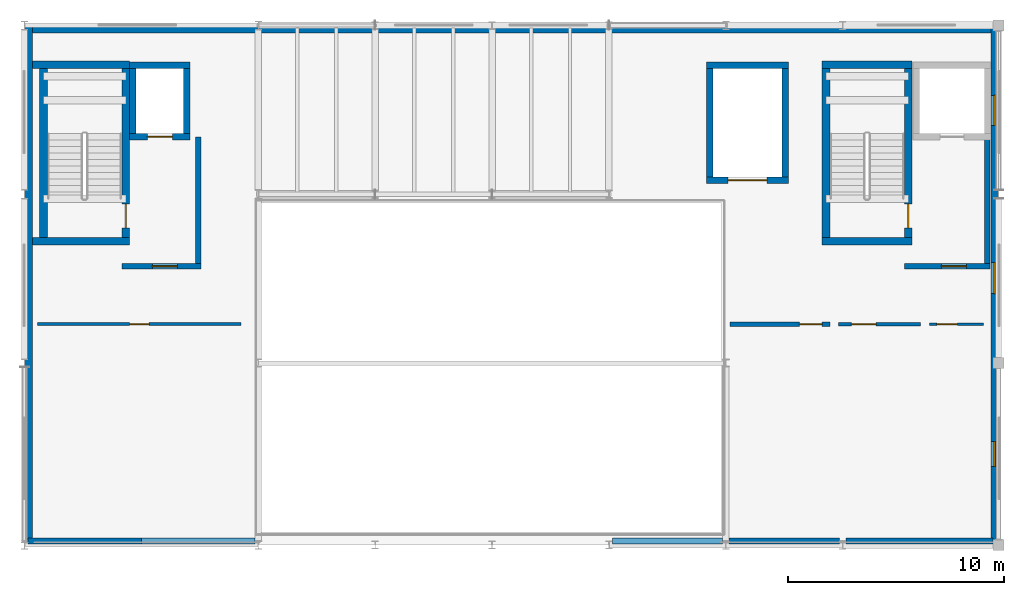
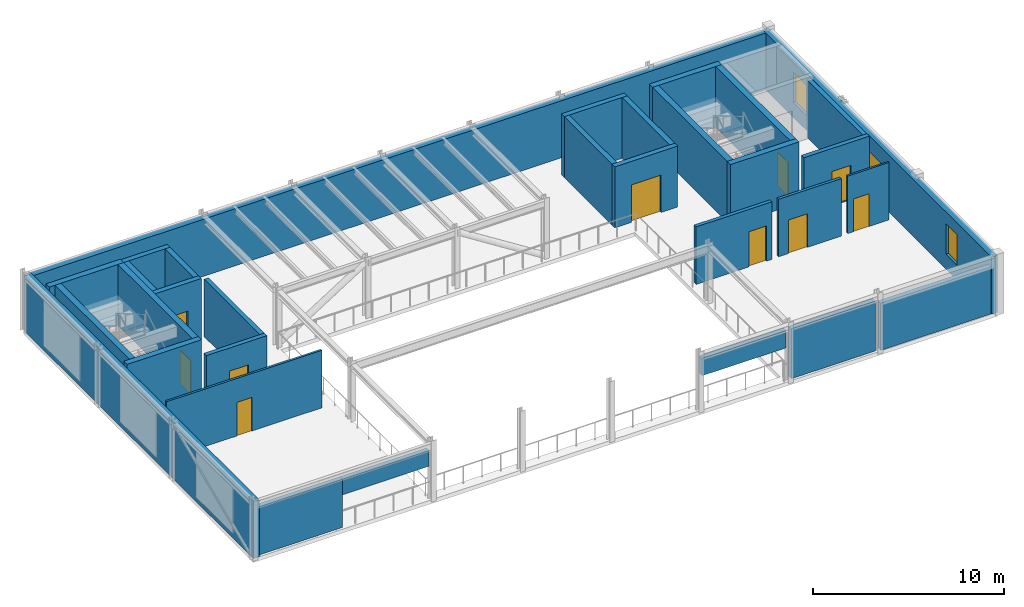
# One storey, part 7 of 12: 32 walls, 10 doors, 3 windows, 13 openings.
"""IFC4 building model written with IfcOpenShell, lengths in metres."""

import ifcopenshell
import ifcopenshell.guid

model = None  # the IFC model being written
_history = None  # IfcOwnerHistory: only IFC2X3 demands one
_inside = {}  # id of a spatial element -> (the spatial element, [elements in it])
_under = {}  # id of a project, library or spatial element -> (it, [spatial elements below it])
_declared = {}  # id of a project -> (the project, [libraries it declares])
_typed = {}  # id of a type object -> (the type object, [elements of that type])
_made_of = {}  # id of a material, layer set ... -> (it, [elements and type objects made of it])


def new_model(schema):
    """Start an empty IFC model of exactly this schema.

    Asked for "IFC4X3", IfcOpenShell would pick the latest addendum, in which some entities
    have other attributes; the version numbers below select the first issue.
    IFC2X3 requires an IfcOwnerHistory on every rooted entity: one is made here for all.
    """
    global model, _history
    if schema == "IFC4X3":
        model = ifcopenshell.file(schema_version=(4, 3, 0, 0))
    else:
        model = ifcopenshell.file(schema=schema)
    _inside.clear()
    _under.clear()
    _declared.clear()
    _typed.clear()
    _made_of.clear()
    _history = None
    if model.schema == "IFC2X3":
        org = make("IfcOrganization", Name="unknown")
        user = make(
            "IfcPersonAndOrganization",
            ThePerson=make("IfcPerson", FamilyName="unknown"),
            TheOrganization=org,
        )
        app = make(
            "IfcApplication",
            ApplicationDeveloper=org,
            Version="unknown",
            ApplicationFullName="unknown",
            ApplicationIdentifier="unknown",
        )
        _history = make(
            "IfcOwnerHistory",
            OwningUser=user,
            OwningApplication=app,
            ChangeAction="ADDED",
            CreationDate=0,
        )
    return model


def make(cls, **values):
    """One entity of the class cls with the attributes given. An attribute that is None is left unset."""
    return model.create_entity(
        cls, **{name: value for name, value in values.items() if value is not None}
    )


def rooted(cls, **values):
    """An entity with a GlobalId (a new one), such as an element, a storey or a relation."""
    return make(cls, GlobalId=ifcopenshell.guid.new(), OwnerHistory=_history, **values)


def si_unit(unit_type, name, prefix=None):
    """IfcSIUnit, for example si_unit("LENGTHUNIT", "METRE", prefix="MILLI")."""
    return make("IfcSIUnit", UnitType=unit_type, Prefix=prefix, Name=name)


def assignment(units):
    """IfcUnitAssignment: the units of a project."""
    return None if units is None else make("IfcUnitAssignment", Units=units)


def point(xyz):
    """IfcCartesianPoint."""
    return None if xyz is None else make("IfcCartesianPoint", Coordinates=xyz)


def direction(xyz):
    """IfcDirection."""
    return None if xyz is None else make("IfcDirection", DirectionRatios=xyz)


def frame(location, z_axis=None, x_axis=None):
    """IfcAxis2Placement3D, a coordinate frame: its origin and axes. An axis left out is left unset."""
    return make(
        "IfcAxis2Placement3D",
        Location=point(location),
        Axis=direction(z_axis),
        RefDirection=direction(x_axis),
    )


def frame_2d(location, x_axis=None):
    """IfcAxis2Placement2D, a coordinate frame in the plane: its origin and x axis."""
    return make(
        "IfcAxis2Placement2D", Location=point(location), RefDirection=direction(x_axis)
    )


def origin():
    """The frame at (0, 0, 0) with its axes left unset."""
    return frame((0.0, 0.0, 0.0))


def place(relative_to, where):
    """IfcLocalPlacement: puts the frame where relative to a parent placement (None: the world)."""
    return make(
        "IfcLocalPlacement", PlacementRelTo=relative_to, RelativePlacement=where
    )


def context(
    kind, dimensions, precision=None, world=None, true_north=None, identifier=None
):
    """IfcGeometricRepresentationContext, for example the 3D "Model" context."""
    return make(
        "IfcGeometricRepresentationContext",
        ContextIdentifier=identifier,
        ContextType=kind,
        CoordinateSpaceDimension=dimensions,
        Precision=precision,
        WorldCoordinateSystem=world,
        TrueNorth=true_north,
    )


def subcontext(parent, identifier, kind, view, scale=None):
    """IfcGeometricRepresentationSubContext, for example "Body" below "Model"."""
    return make(
        "IfcGeometricRepresentationSubContext",
        ContextIdentifier=identifier,
        ContextType=kind,
        ParentContext=parent,
        TargetScale=scale,
        TargetView=view,
    )


def project(units=None, contexts=None):
    """IfcProject with its units and contexts."""
    return rooted(
        "IfcProject",
        Name="project",
        RepresentationContexts=contexts,
        UnitsInContext=assignment(units),
    )


def spatial(cls, under=None, at=None, **own):
    """A site, building, storey or space (cls), placed at a placement, below another one or the project."""
    s = rooted(cls, ObjectPlacement=at, **own)
    if under is not None:
        _under.setdefault(under.id(), (under, []))[1].append(s)
    return s


def profile(cls, at=None, kind="AREA", **sizes):
    """A parametric profile (cls). Its sizes go by their IFC names, for example OverallWidth=200.0."""
    return make(cls, ProfileType=kind, Position=at, **sizes)


def rectangle(**sizes):
    """IfcRectangleProfileDef."""
    return profile("IfcRectangleProfileDef", **sizes)


def extrude(swept, where, along, depth):
    """IfcExtrudedAreaSolid: the profile swept, set in the frame where, extruded along a direction by depth."""
    return make(
        "IfcExtrudedAreaSolid",
        SweptArea=swept,
        Position=where,
        ExtrudedDirection=direction(along),
        Depth=depth,
    )


def shape(context_of_items, identifier, shape_type, items):
    """IfcShapeRepresentation: the items that make up one representation, for example the "Body"."""
    return make(
        "IfcShapeRepresentation",
        ContextOfItems=context_of_items,
        RepresentationIdentifier=identifier,
        RepresentationType=shape_type,
        Items=items,
    )


def material(Name=None, Category=None):
    """IfcMaterial."""
    return make("IfcMaterial", Name=Name, Category=Category)


def layer(
    of_material, thickness, ventilated=None, Name=None, Category=None, Priority=None
):
    """IfcMaterialLayer: one layer of a wall or slab, of a material (None: an air gap)."""
    return make(
        "IfcMaterialLayer",
        Material=of_material,
        LayerThickness=thickness,
        IsVentilated=ventilated,
        Name=Name,
        Category=Category,
        Priority=Priority,
    )


def layer_set(layers, Name=None):
    """IfcMaterialLayerSet."""
    return make("IfcMaterialLayerSet", MaterialLayers=layers, LayerSetName=Name)


def made_of(thing, what):
    """Note that an element or type object is made of a material, layer set ...; save() writes the relation."""
    if what is not None:
        _made_of.setdefault(what.id(), (what, []))[1].append(thing)
    return thing


def type_object(cls, material=None, **own):
    """A type object (cls), such as IfcWallType, which elements share."""
    return made_of(rooted(cls, **own), material)


def element(
    cls,
    number,
    at=None,
    inside=None,
    cuts=None,
    type_object=None,
    material=None,
    context=None,
    identifier="Body",
    shape_type=None,
    held_by="IfcProductDefinitionShape",
    body=None,
    shapes=None,
    **own,
):
    """One element of the class cls, such as IfcWall. Its Tag is "e" and its number.

    at: its placement. inside: the storey or other place that contains it. cuts: it is an
    opening in that element (IfcRelVoidsElement). A single representation is given by context,
    identifier, shape_type and body (its items); several are given by shapes. held_by: the class
    of the entity that holds the representations. save() writes the other relations.
    """
    e = rooted(cls, Tag="e%d" % number, ObjectPlacement=at, **own)
    if body is not None:
        shapes = [shape(context, identifier, shape_type, body)]
    if shapes is not None:
        e.Representation = make(held_by, Representations=shapes)
    if inside is not None:
        _inside.setdefault(inside.id(), (inside, []))[1].append(e)
    if cuts is not None:
        rooted(
            "IfcRelVoidsElement", RelatingBuildingElement=cuts, RelatedOpeningElement=e
        )
    if type_object is not None:
        _typed.setdefault(type_object.id(), (type_object, []))[1].append(e)
    return made_of(e, material)


def fill(opening, filler):
    """IfcRelFillsElement: the door or window that sits in an opening."""
    return rooted(
        "IfcRelFillsElement",
        RelatingOpeningElement=opening,
        RelatedBuildingElement=filler,
    )


def aggregate(whole, parts):
    """IfcRelAggregates: a whole, such as a stair, and the parts it consists of."""
    return rooted("IfcRelAggregates", RelatingObject=whole, RelatedObjects=parts)


def save(model, path):
    """Write the relations noted so far, then the file.

    IfcRelAggregates (storeys below a building ...), IfcRelContainedInSpatialStructure (elements
    in a storey), IfcRelDefinesByType, IfcRelAssociatesMaterial and IfcRelDeclares: one each for
    every whole, place, type object, material and project.
    """
    for whole, parts in _under.values():
        aggregate(whole, parts)
    for where, things in _inside.values():
        rooted(
            "IfcRelContainedInSpatialStructure",
            RelatedElements=things,
            RelatingStructure=where,
        )
    for kind, things in _typed.values():
        rooted("IfcRelDefinesByType", RelatedObjects=things, RelatingType=kind)
    for what, things in _made_of.values():
        rooted("IfcRelAssociatesMaterial", RelatedObjects=things, RelatingMaterial=what)
    for by, libraries in _declared.values():
        rooted("IfcRelDeclares", RelatingContext=by, RelatedDefinitions=libraries)
    model.write(path)


model = new_model("IFC4")

# Units and contexts
model_context = context("Model", 3, precision=1e-05, world=origin(), true_north=direction((0.0, 1.0)))
body_context = subcontext(model_context, "Body", "Model", "MODEL_VIEW")
ifc_project = project(units=[si_unit("LENGTHUNIT", "METRE"), si_unit("AREAUNIT", "SQUARE_METRE"), si_unit("VOLUMEUNIT", "CUBIC_METRE"), si_unit("PLANEANGLEUNIT", "RADIAN"), si_unit("MASSUNIT", "GRAM", prefix="KILO")], contexts=[model_context])

# Site, building, storey
site_placement = place(None, origin())
site = spatial("IfcSite", under=ifc_project, at=site_placement, CompositionType="ELEMENT")
building_placement = place(site_placement, origin())
building = spatial("IfcBuilding", under=site, at=building_placement, Name="Tazoul Stagehouse", CompositionType="ELEMENT")
storey_placement = place(building_placement, frame((0.0, 0.0, 17.10009765625)))
storey = spatial("IfcBuildingStorey", under=building, at=storey_placement, Name="L04", CompositionType="ELEMENT", Elevation=17.10009765625)

# Wall
ifc_material_1 = material(Name="Ochre Fired Clay Facing Brick Masonry", Category="masonry")
ifc_layer_1 = layer(ifc_material_1, 0.360107421875, Name="Ochre Fired Clay Facing Brick Masonry")
ifc_layer_set_1 = layer_set([ifc_layer_1], Name="Ochre Fired Clay Facing Brick Masonry")
wall_type_1 = type_object("IfcWallType", Name="Acoustic Stagehouse Masonry-Concrete Cavity Wall 360", PredefinedType="SOLIDWALL", material=ifc_layer_set_1)
wall_1_placement = place(storey_placement, frame((57.780029296875, 87.800048828125, 0.0), z_axis=(0.0, 0.0, 1.0), x_axis=(0.0, 1.0, 0.0)))
element("IfcWall", 1, at=wall_1_placement, inside=storey, type_object=wall_type_1, Name="L04 Wall EW-360 (WALL-V2-W-L04-S1)", PredefinedType="SOLIDWALL", context=body_context, shape_type="SweptSolid", body=[
    extrude(rectangle(XDim=24.0, YDim=0.360107421875, at=frame_2d((12.0, 0.0))), origin(), (0.0, 0.0, 1.0), 3.64990234375),
])

# Wall, openings, windows
wall_2_placement = place(storey_placement, frame((102.419921875, 87.800048828125, 0.0), z_axis=(0.0, 0.0, 1.0), x_axis=(0.0, 1.0, 0.0)))
wall_2 = element("IfcWall", 2, at=wall_2_placement, inside=storey, type_object=wall_type_1, Name="L04 Wall EW-360 (WALL-V2-E-L04-S1)", PredefinedType="SOLIDWALL", context=body_context, shape_type="SweptSolid", body=[
    extrude(rectangle(XDim=24.0, YDim=0.360107421875, at=frame_2d((12.0, 0.0))), origin(), (0.0, 0.0, 1.0), 3.64990234375),
])
opening_1_placement = place(wall_2_placement, frame((3.625, 0.0, 0.949951171875)))
opening_1 = element("IfcOpeningElement", 3, at=opening_1_placement, cuts=wall_2, Name="Opening WN-21", PredefinedType="OPENING", context=body_context, shape_type="SweptSolid", body=[
    extrude(rectangle(XDim=1.14990234375, YDim=1.949951171875, at=frame_2d((0.574951171875, 0.97509765625))), frame((0.0, 0.199951171875, 0.0), z_axis=(0.0, -1.0, 0.0), x_axis=(1.0, 0.0, 0.0)), (0.0, 0.0, 1.0), 0.400146484375),
])
opening_2_placement = place(wall_2_placement, frame((11.60498046875, 0.0, 0.949951171875)))
opening_2 = element("IfcOpeningElement", 4, at=opening_2_placement, cuts=wall_2, Name="Opening WN-51", PredefinedType="OPENING", context=body_context, shape_type="SweptSolid", body=[
    extrude(rectangle(XDim=1.43994140625, YDim=1.699951171875, at=frame_2d((0.719970703125, 0.85009765625))), frame((0.0, 0.199951171875, 0.0), z_axis=(0.0, -1.0, 0.0), x_axis=(1.0, 0.0, 0.0)), (0.0, 0.0, 1.0), 0.400146484375),
])
opening_3_placement = place(wall_2_placement, frame((19.385009765625, 0.0, 0.949951171875)))
opening_3 = element("IfcOpeningElement", 5, at=opening_3_placement, cuts=wall_2, Name="Opening WN-74", PredefinedType="OPENING", context=body_context, shape_type="SweptSolid", body=[
    extrude(rectangle(XDim=1.3798828125, YDim=1.949951171875, at=frame_2d((0.68994140625, 0.97509765625))), frame((0.0, 0.199951171875, 0.0), z_axis=(0.0, -1.0, 0.0), x_axis=(1.0, 0.0, 0.0)), (0.0, 0.0, 1.0), 0.400146484375),
])
ifc_material_2 = material(Name="Double Low-E Acoustic Laminated Glass", Category="glass")
window_type_1 = type_object("IfcWindowType", Name="Architectural Acoustic Facade Window 1380x1950", PartitioningType="SINGLE_PANEL", PredefinedType="WINDOW", material=ifc_material_2)
window_1_placement = place(opening_3_placement, origin())
window_1 = element("IfcWindow", 6, at=window_1_placement, inside=storey, type_object=window_type_1, Name="L04 Window WN-74 (WALL-V2-E-L04-S1-B3-W1)", OverallHeight=1.949951171875, OverallWidth=1.3798828125, PartitioningType="SINGLE_PANEL", PredefinedType="WINDOW", context=body_context, shape_type="SweptSolid", body=[
    extrude(rectangle(XDim=1.3798828125, YDim=1.949951171875, at=frame_2d((0.68994140625, 0.97509765625))), frame((0.0, 0.030029296875, 0.0), z_axis=(0.0, -1.0, 0.0), x_axis=(1.0, 0.0, 0.0)), (0.0, 0.0, 1.0), 0.06005859375),
])
fill(opening_3, window_1)
window_type_2 = type_object("IfcWindowType", Name="Architectural Acoustic Facade Window 1440x1700", PartitioningType="SINGLE_PANEL", PredefinedType="WINDOW", material=ifc_material_2)
window_2_placement = place(opening_2_placement, origin())
window_2 = element("IfcWindow", 7, at=window_2_placement, inside=storey, type_object=window_type_2, Name="L04 Window WN-51 (WALL-V2-E-L04-S1-B2-W1)", OverallHeight=1.699951171875, OverallWidth=1.43994140625, PartitioningType="SINGLE_PANEL", PredefinedType="WINDOW", context=body_context, shape_type="SweptSolid", body=[
    extrude(rectangle(XDim=1.43994140625, YDim=1.699951171875, at=frame_2d((0.719970703125, 0.85009765625))), frame((0.0, 0.030029296875, 0.0), z_axis=(0.0, -1.0, 0.0), x_axis=(1.0, 0.0, 0.0)), (0.0, 0.0, 1.0), 0.06005859375),
])
fill(opening_2, window_2)
window_type_3 = type_object("IfcWindowType", Name="Studio Drum Acoustic Window 1150x1950", PartitioningType="SINGLE_PANEL", PredefinedType="WINDOW", material=ifc_material_2)
window_3_placement = place(opening_1_placement, origin())
window_3 = element("IfcWindow", 8, at=window_3_placement, inside=storey, type_object=window_type_3, Name="L04 Window WN-21 (WALL-V2-E-L04-S1-B1-W1)", OverallHeight=1.949951171875, OverallWidth=1.14990234375, PartitioningType="SINGLE_PANEL", PredefinedType="WINDOW", context=body_context, shape_type="SweptSolid", body=[
    extrude(rectangle(XDim=1.14990234375, YDim=1.949951171875, at=frame_2d((0.574951171875, 0.97509765625))), frame((0.0, 0.030029296875, 0.0), z_axis=(0.0, -1.0, 0.0), x_axis=(1.0, 0.0, 0.0)), (0.0, 0.0, 1.0), 0.06005859375),
])
fill(opening_1, window_3)

# Walls
wall_3_placement = place(storey_placement, frame((57.60009765625, 111.6201171875, 0.0), z_axis=(0.0, 0.0, 1.0), x_axis=(1.0, 0.0, 0.0)))
element("IfcWall", 9, at=wall_3_placement, inside=storey, type_object=wall_type_1, Name="L04 Wall EW-360 (WALL-V2-N-L04-S1)", PredefinedType="SOLIDWALL", context=body_context, shape_type="SweptSolid", body=[
    extrude(rectangle(XDim=45.0, YDim=0.360107421875, at=frame_2d((22.5, 0.0))), origin(), (0.0, 0.0, 1.0), 3.64990234375),
])
ifc_material_3 = material(Name="Concrete C40/50", Category="concrete")
ifc_layer_2 = layer(ifc_material_3, 0.35009765625, Name="Concrete C40/50")
ifc_layer_set_2 = layer_set([ifc_layer_2], Name="Concrete C40/50")
wall_type_2 = type_object("IfcWallType", Name="Core Shear Wall 350", PredefinedType="SOLIDWALL", material=ifc_layer_set_2)
wall_4_placement = place(storey_placement, frame((98.60009765625, 101.824951171875, 0.0), z_axis=(0.0, 0.0, 1.0), x_axis=(-1.0, 0.0, 0.0)))
element("IfcWall", 10, at=wall_4_placement, inside=storey, type_object=wall_type_2, Name="L04 Core Wall CW-350 (SHF-ST-01-south)", PredefinedType="SOLIDWALL", context=body_context, shape_type="SweptSolid", body=[
    extrude(rectangle(XDim=4.150146484375, YDim=0.35009765625, at=frame_2d((2.0751953125, 0.0))), origin(), (0.0, 0.0, 1.0), 3.89990234375),
])
wall_5_placement = place(storey_placement, frame((94.625, 102.0, 0.0), z_axis=(0.0, 0.0, 1.0), x_axis=(0.0, 1.0, 0.0)))
element("IfcWall", 11, at=wall_5_placement, inside=storey, type_object=wall_type_2, Name="L04 Core Wall CW-350 (SHF-ST-01-west)", PredefinedType="SOLIDWALL", context=body_context, shape_type="SweptSolid", body=[
    extrude(rectangle(XDim=7.800048828125, YDim=0.35009765625, at=frame_2d((3.89990234375, 0.0))), origin(), (0.0, 0.0, 1.0), 3.89990234375),
])
wall_6_placement = place(storey_placement, frame((94.449951171875, 109.97509765625, 0.0), z_axis=(0.0, 0.0, 1.0), x_axis=(1.0, 0.0, 0.0)))
element("IfcWall", 12, at=wall_6_placement, inside=storey, type_object=wall_type_2, Name="L04 Core Wall CW-350 (SHF-ST-01-north)", PredefinedType="SOLIDWALL", context=body_context, shape_type="SweptSolid", body=[
    extrude(rectangle(XDim=4.150146484375, YDim=0.35009765625, at=frame_2d((2.0751953125, 0.0))), origin(), (0.0, 0.0, 1.0), 3.89990234375),
])

# Wall, opening, door
wall_7_placement = place(storey_placement, frame((98.425048828125, 109.800048828125, 0.0), z_axis=(0.0, 0.0, 1.0), x_axis=(0.0, -1.0, 0.0)))
wall_7 = element("IfcWall", 13, at=wall_7_placement, inside=storey, type_object=wall_type_2, Name="L04 Core Wall CW-350 (SHF-ST-01-east)", PredefinedType="SOLIDWALL", context=body_context, shape_type="SweptSolid", body=[
    extrude(rectangle(XDim=7.800048828125, YDim=0.35009765625, at=frame_2d((3.89990234375, 0.0))), origin(), (0.0, 0.0, 1.0), 3.89990234375),
])
opening_4_placement = place(wall_7_placement, frame((6.25, 0.0, 0.0)))
opening_4 = element("IfcOpeningElement", 14, at=opening_4_placement, cuts=wall_7, Name="Opening FD-01", PredefinedType="OPENING", context=body_context, shape_type="SweptSolid", body=[
    extrude(rectangle(XDim=1.10009765625, YDim=2.14990234375, at=frame_2d((0.550048828125, 1.074951171875))), frame((0.0, 0.195068359375, 0.0), z_axis=(0.0, -1.0, 0.0), x_axis=(1.0, 0.0, 0.0)), (0.0, 0.0, 1.0), 0.39013671875),
])
ifc_material_4 = material(Name="Powder-Coated Galvanised Acoustic Steel", Category="steel")
door_type_1 = type_object("IfcDoorType", Name="Core Escape Stair Fire Door 1100x2150", OperationType="NOTDEFINED", PredefinedType="DOOR", material=ifc_material_4)
door_1_placement = place(opening_4_placement, origin())
door_1 = element("IfcDoor", 15, at=door_1_placement, inside=storey, type_object=door_type_1, Name="L04 Escape Stair Fire Door FD-01 (ST-01)", OperationType="SINGLE_SWING_RIGHT", OverallHeight=2.14990234375, OverallWidth=1.10009765625, PredefinedType="DOOR", context=body_context, shape_type="SweptSolid", body=[
    extrude(rectangle(XDim=1.10009765625, YDim=2.14990234375, at=frame_2d((0.550048828125, 1.074951171875))), frame((0.0, 0.02490234375, 0.0), z_axis=(0.0, -1.0, 0.0), x_axis=(1.0, 0.0, 0.0)), (0.0, 0.0, 1.0), 0.050048828125),
])
fill(opening_4, door_1)

# Walls
wall_8_placement = place(storey_placement, frame((62.449951171875, 101.824951171875, 0.0), z_axis=(0.0, 0.0, 1.0), x_axis=(-1.0, 0.0, 0.0)))
element("IfcWall", 16, at=wall_8_placement, inside=storey, type_object=wall_type_2, Name="L04 Core Wall CW-350 (SHF-ST-03-south)", PredefinedType="SOLIDWALL", context=body_context, shape_type="SweptSolid", body=[
    extrude(rectangle(XDim=4.489990234375, YDim=0.35009765625, at=frame_2d((2.2451171875, 0.0))), origin(), (0.0, 0.0, 1.0), 3.89990234375),
])
wall_9_placement = place(storey_placement, frame((58.47509765625, 102.0, 0.0), z_axis=(0.0, 0.0, 1.0), x_axis=(0.0, 1.0, 0.0)))
element("IfcWall", 17, at=wall_9_placement, inside=storey, type_object=wall_type_2, Name="L04 Core Wall CW-350 (SHF-ST-03-west)", PredefinedType="SOLIDWALL", context=body_context, shape_type="SweptSolid", body=[
    extrude(rectangle(XDim=7.800048828125, YDim=0.35009765625, at=frame_2d((3.89990234375, 0.0))), origin(), (0.0, 0.0, 1.0), 3.89990234375),
])
wall_10_placement = place(storey_placement, frame((57.9599609375, 109.97509765625, 0.0), z_axis=(0.0, 0.0, 1.0), x_axis=(1.0, 0.0, 0.0)))
element("IfcWall", 18, at=wall_10_placement, inside=storey, type_object=wall_type_2, Name="L04 Core Wall CW-350 (SHF-ST-03-north)", PredefinedType="SOLIDWALL", context=body_context, shape_type="SweptSolid", body=[
    extrude(rectangle(XDim=4.489990234375, YDim=0.35009765625, at=frame_2d((2.2451171875, 0.0))), origin(), (0.0, 0.0, 1.0), 3.89990234375),
])

# Wall, opening, door
wall_11_placement = place(storey_placement, frame((62.27490234375, 109.800048828125, 0.0), z_axis=(0.0, 0.0, 1.0), x_axis=(0.0, -1.0, 0.0)))
wall_11 = element("IfcWall", 19, at=wall_11_placement, inside=storey, type_object=wall_type_2, Name="L04 Core Wall CW-350 (SHF-ST-03-east)", PredefinedType="SOLIDWALL", context=body_context, shape_type="SweptSolid", body=[
    extrude(rectangle(XDim=7.800048828125, YDim=0.35009765625, at=frame_2d((3.89990234375, 0.0))), origin(), (0.0, 0.0, 1.0), 3.89990234375),
])
opening_5_placement = place(wall_11_placement, frame((6.25, 0.0, 0.0)))
opening_5 = element("IfcOpeningElement", 20, at=opening_5_placement, cuts=wall_11, Name="Opening FD-01", PredefinedType="OPENING", context=body_context, shape_type="SweptSolid", body=[
    extrude(rectangle(XDim=1.10009765625, YDim=2.14990234375, at=frame_2d((0.550048828125, 1.074951171875))), frame((0.0, 0.195068359375, 0.0), z_axis=(0.0, -1.0, 0.0), x_axis=(1.0, 0.0, 0.0)), (0.0, 0.0, 1.0), 0.39013671875),
])
door_2_placement = place(opening_5_placement, origin())
door_2 = element("IfcDoor", 21, at=door_2_placement, inside=storey, type_object=door_type_1, Name="L04 Escape Stair Fire Door FD-01 (ST-03)", OperationType="SINGLE_SWING_LEFT", OverallHeight=2.14990234375, OverallWidth=1.10009765625, PredefinedType="DOOR", context=body_context, shape_type="SweptSolid", body=[
    extrude(rectangle(XDim=1.10009765625, YDim=2.14990234375, at=frame_2d((0.550048828125, 1.074951171875))), frame((0.0, 0.02490234375, 0.0), z_axis=(0.0, -1.0, 0.0), x_axis=(1.0, 0.0, 0.0)), (0.0, 0.0, 1.0), 0.050048828125),
])
fill(opening_5, door_2)

ifc_material_5 = material(Name="Gypsum Acoustic Partition", Category="gypsum")
ifc_layer_3 = layer(ifc_material_5, 0.169921875, Name="Gypsum Acoustic Partition")
ifc_layer_set_3 = layer_set([ifc_layer_3], Name="Gypsum Acoustic Partition")
wall_type_3 = type_object("IfcWallType", Name="Corridor Fire-Rated Partition 170", PredefinedType="PARTITIONING", material=ifc_layer_set_3)
wall_12_placement = place(storey_placement, frame((95.199951171875, 98.0, 0.0), z_axis=(0.0, 0.0, 1.0), x_axis=(1.0, 0.0, 0.0)))
wall_12 = element("IfcWall", 22, at=wall_12_placement, inside=storey, type_object=wall_type_3, Name="L04 Partition PW-170 (PW-RM-L04-090-N)", PredefinedType="PARTITIONING", context=body_context, shape_type="SweptSolid", body=[
    extrude(rectangle(XDim=3.800048828125, YDim=0.169921875, at=frame_2d((1.89990234375, 0.0))), origin(), (0.0, 0.0, 1.0), 3.679931640625),
])
opening_6_placement = place(wall_12_placement, frame((0.59375, 0.0, 0.0)))
opening_6 = element("IfcOpeningElement", 23, at=opening_6_placement, cuts=wall_12, Name="Opening ID-10", PredefinedType="OPENING", context=body_context, shape_type="SweptSolid", body=[
    extrude(rectangle(XDim=1.14990234375, YDim=2.14990234375, at=frame_2d((0.574951171875, 1.074951171875))), frame((0.0, 0.10498046875, 0.0), z_axis=(0.0, -1.0, 0.0), x_axis=(1.0, 0.0, 0.0)), (0.0, 0.0, 1.0), 0.2099609375),
])
ifc_material_6 = material(Name="Acoustic Cedar Timber", Category="wood")
door_type_2 = type_object("IfcDoorType", Name="Plantroom Rated Single Door 1150x2150", OperationType="NOTDEFINED", PredefinedType="DOOR", material=ifc_material_6)
door_3_placement = place(opening_6_placement, origin())
door_3 = element("IfcDoor", 24, at=door_3_placement, inside=storey, type_object=door_type_2, Name="L04 Stage Right Fly-Winch and Automation Room Door", OperationType="SINGLE_SWING_LEFT", OverallHeight=2.14990234375, OverallWidth=1.14990234375, PredefinedType="DOOR", context=body_context, shape_type="SweptSolid", body=[
    extrude(rectangle(XDim=1.14990234375, YDim=2.14990234375, at=frame_2d((0.574951171875, 1.074951171875))), frame((0.0, 0.02490234375, 0.0), z_axis=(0.0, -1.0, 0.0), x_axis=(1.0, 0.0, 0.0)), (0.0, 0.0, 1.0), 0.050048828125),
])
fill(opening_6, door_3)

ifc_layer_4 = layer(ifc_material_3, 0.260009765625, Name="Concrete C40/50")
ifc_layer_set_4 = layer_set([ifc_layer_4], Name="Concrete C40/50")
wall_type_4 = type_object("IfcWallType", Name="Firefighting Lobby Wall 260", PredefinedType="SOLIDWALL", material=ifc_layer_set_4)
wall_13_placement = place(storey_placement, frame((102.2099609375, 100.669921875, 0.0), z_axis=(0.0, 0.0, 1.0), x_axis=(-1.0, 0.0, 0.0)))
wall_13 = element("IfcWall", 25, at=wall_13_placement, inside=storey, type_object=wall_type_4, Name="L04 Firefighting Lobby Wall CW-260 (C1-S)", PredefinedType="SOLIDWALL", context=body_context, shape_type="SweptSolid", body=[
    extrude(rectangle(XDim=3.9599609375, YDim=0.260009765625, at=frame_2d((1.97998046875, 0.0))), origin(), (0.0, 0.0, 1.0), 3.679931640625),
])
opening_7_placement = place(wall_13_placement, frame((1.10009765625, 0.0, 0.0)))
opening_7 = element("IfcOpeningElement", 26, at=opening_7_placement, cuts=wall_13, Name="Opening FD-02", PredefinedType="OPENING", context=body_context, shape_type="SweptSolid", body=[
    extrude(rectangle(XDim=1.14990234375, YDim=2.199951171875, at=frame_2d((0.574951171875, 1.10009765625))), frame((0.0, 0.14990234375, 0.0), z_axis=(0.0, -1.0, 0.0), x_axis=(1.0, 0.0, 0.0)), (0.0, 0.0, 1.0), 0.300048828125),
])
door_type_3 = type_object("IfcDoorType", Name="Firefighting Lobby Fire Door 1150x2200", OperationType="NOTDEFINED", PredefinedType="DOOR", material=ifc_material_4)
door_4_placement = place(opening_7_placement, origin())
door_4 = element("IfcDoor", 27, at=door_4_placement, inside=storey, type_object=door_type_3, Name="L04 Firefighting Lobby Door FD-02 (C1)", OperationType="SINGLE_SWING_LEFT", OverallHeight=2.199951171875, OverallWidth=1.14990234375, PredefinedType="DOOR", context=body_context, shape_type="SweptSolid", body=[
    extrude(rectangle(XDim=1.14990234375, YDim=2.199951171875, at=frame_2d((0.574951171875, 1.10009765625))), frame((0.0, 0.02490234375, 0.0), z_axis=(0.0, -1.0, 0.0), x_axis=(1.0, 0.0, 0.0)), (0.0, 0.0, 1.0), 0.050048828125),
])
fill(opening_7, door_4)

# Wall
wall_14_placement = place(storey_placement, frame((102.080078125, 106.64990234375, 0.0), z_axis=(0.0, 0.0, 1.0), x_axis=(0.0, -1.0, 0.0)))
element("IfcWall", 28, at=wall_14_placement, inside=storey, type_object=wall_type_4, Name="L04 Firefighting Lobby Wall CW-260 (C1-E)", PredefinedType="SOLIDWALL", context=body_context, shape_type="SweptSolid", body=[
    extrude(rectangle(XDim=5.849853515625, YDim=0.260009765625, at=frame_2d((2.9248046875, 0.0))), origin(), (0.0, 0.0, 1.0), 3.679931640625),
])

# Wall, opening, door
wall_15_placement = place(storey_placement, frame((65.760009765625, 100.669921875, 0.0), z_axis=(0.0, 0.0, 1.0), x_axis=(-1.0, 0.0, 0.0)))
wall_15 = element("IfcWall", 29, at=wall_15_placement, inside=storey, type_object=wall_type_4, Name="L04 Firefighting Lobby Wall CW-260 (C3-S)", PredefinedType="SOLIDWALL", context=body_context, shape_type="SweptSolid", body=[
    extrude(rectangle(XDim=3.659912109375, YDim=0.260009765625, at=frame_2d((1.830078125, 0.0))), origin(), (0.0, 0.0, 1.0), 3.679931640625),
])
opening_8_placement = place(wall_15_placement, frame((1.10009765625, 0.0, 0.0)))
opening_8 = element("IfcOpeningElement", 30, at=opening_8_placement, cuts=wall_15, Name="Opening FD-02", PredefinedType="OPENING", context=body_context, shape_type="SweptSolid", body=[
    extrude(rectangle(XDim=1.14990234375, YDim=2.199951171875, at=frame_2d((0.574951171875, 1.10009765625))), frame((0.0, 0.14990234375, 0.0), z_axis=(0.0, -1.0, 0.0), x_axis=(1.0, 0.0, 0.0)), (0.0, 0.0, 1.0), 0.300048828125),
])
door_5_placement = place(opening_8_placement, origin())
door_5 = element("IfcDoor", 31, at=door_5_placement, inside=storey, type_object=door_type_3, Name="L04 Firefighting Lobby Door FD-02 (C3)", OperationType="SINGLE_SWING_RIGHT", OverallHeight=2.199951171875, OverallWidth=1.14990234375, PredefinedType="DOOR", context=body_context, shape_type="SweptSolid", body=[
    extrude(rectangle(XDim=1.14990234375, YDim=2.199951171875, at=frame_2d((0.574951171875, 1.10009765625))), frame((0.0, 0.02490234375, 0.0), z_axis=(0.0, -1.0, 0.0), x_axis=(1.0, 0.0, 0.0)), (0.0, 0.0, 1.0), 0.050048828125),
])
fill(opening_8, door_5)

# Walls
wall_16_placement = place(storey_placement, frame((65.6298828125, 106.64990234375, 0.0), z_axis=(0.0, 0.0, 1.0), x_axis=(0.0, -1.0, 0.0)))
element("IfcWall", 32, at=wall_16_placement, inside=storey, type_object=wall_type_4, Name="L04 Firefighting Lobby Wall CW-260 (C3-E)", PredefinedType="SOLIDWALL", context=body_context, shape_type="SweptSolid", body=[
    extrude(rectangle(XDim=5.849853515625, YDim=0.260009765625, at=frame_2d((2.9248046875, 0.0))), origin(), (0.0, 0.0, 1.0), 3.679931640625),
])
ifc_material_7 = material(Name="Precast concrete C40/50", Category="concrete")
ifc_layer_5 = layer(ifc_material_7, 0.280029296875, Name="Precast concrete C40/50")
ifc_layer_set_5 = layer_set([ifc_layer_5], Name="Precast concrete C40/50")
wall_type_5 = type_object("IfcWallType", Name="Insulated Precast Acoustic Cladding Wall 280", PredefinedType="SOLIDWALL", material=ifc_layer_set_5)
wall_17_placement = place(storey_placement, frame((57.7548828125, 87.97998046875, 0.079833984375), z_axis=(0.0, 0.0, 1.0), x_axis=(1.0, 0.0, 0.0)))
element("IfcWall", 33, at=wall_17_placement, inside=storey, type_object=wall_type_5, Name="L04 Wall EW-280 (WALL-V2-S-L04-B1-S1)", PredefinedType="SOLIDWALL", context=body_context, shape_type="SweptSolid", body=[
    extrude(rectangle(XDim=5.2451171875, YDim=0.280029296875, at=frame_2d((2.62255859375, 0.0))), origin(), (0.0, 0.0, 1.0), 3.0830078125),
])
wall_18_placement = place(storey_placement, frame((63.0, 87.97998046875, 2.164794921875), z_axis=(0.0, 0.0, 1.0), x_axis=(1.0, 0.0, 0.0)))
element("IfcWall", 34, at=wall_18_placement, inside=storey, type_object=wall_type_5, Name="L04 Wall EW-280 (WALL-V2-S-L04-B2-S1)", PredefinedType="SOLIDWALL", context=body_context, shape_type="SweptSolid", body=[
    extrude(rectangle(XDim=5.2451171875, YDim=0.280029296875, at=frame_2d((2.62255859375, 0.0))), origin(), (0.0, 0.0, 1.0), 0.998046875),
])
wall_19_placement = place(storey_placement, frame((84.7548828125, 87.97998046875, 2.164794921875), z_axis=(0.0, 0.0, 1.0), x_axis=(1.0, 0.0, 0.0)))
element("IfcWall", 35, at=wall_19_placement, inside=storey, type_object=wall_type_5, Name="L04 Wall EW-280 (WALL-V2-S-L04-B6-S1)", PredefinedType="SOLIDWALL", context=body_context, shape_type="SweptSolid", body=[
    extrude(rectangle(XDim=5.090087890625, YDim=0.280029296875, at=frame_2d((2.544921875, 0.0))), origin(), (0.0, 0.0, 1.0), 1.108154296875),
])
wall_20_placement = place(storey_placement, frame((90.155029296875, 87.97998046875, 0.079833984375), z_axis=(0.0, 0.0, 1.0), x_axis=(1.0, 0.0, 0.0)))
element("IfcWall", 36, at=wall_20_placement, inside=storey, type_object=wall_type_5, Name="L04 Wall EW-280 (WALL-V2-S-L04-B7-S1)", PredefinedType="SOLIDWALL", context=body_context, shape_type="SweptSolid", body=[
    extrude(rectangle(XDim=5.090087890625, YDim=0.280029296875, at=frame_2d((2.544921875, 0.0))), origin(), (0.0, 0.0, 1.0), 3.193115234375),
])
wall_21_placement = place(storey_placement, frame((95.554931640625, 87.97998046875, 0.0), z_axis=(0.0, 0.0, 1.0), x_axis=(1.0, 0.0, 0.0)))
element("IfcWall", 37, at=wall_21_placement, inside=storey, type_object=wall_type_5, Name="L04 Wall EW-280 (WALL-V2-S-L04-B8-S1)", PredefinedType="SOLIDWALL", context=body_context, shape_type="SweptSolid", body=[
    extrude(rectangle(XDim=6.7900390625, YDim=0.280029296875, at=frame_2d((3.39501953125, 0.0))), origin(), (0.0, 0.0, 1.0), 3.012939453125),
])

# Wall, opening, door
ifc_layer_6 = layer(ifc_material_3, 0.300048828125, Name="Concrete C40/50")
ifc_layer_set_6 = layer_set([ifc_layer_6], Name="Concrete C40/50")
wall_type_6 = type_object("IfcWallType", Name="Lift Shaft Wall 300", PredefinedType="SOLIDWALL", material=ifc_layer_set_6)
wall_22_placement = place(storey_placement, frame((65.25, 106.64990234375, 0.0), z_axis=(0.0, 0.0, 1.0), x_axis=(-1.0, 0.0, 0.0)))
wall_22 = element("IfcWall", 38, at=wall_22_placement, inside=storey, type_object=wall_type_6, Name="L04 Core Wall CW-300 (LSHF-FFL-02-south)", PredefinedType="SOLIDWALL", context=body_context, shape_type="SweptSolid", body=[
    extrude(rectangle(XDim=2.800048828125, YDim=0.300048828125, at=frame_2d((1.39990234375, 0.0))), origin(), (0.0, 0.0, 1.0), 3.89990234375),
])
opening_9_placement = place(wall_22_placement, frame((0.824951171875, 0.0, 0.0)))
opening_9 = element("IfcOpeningElement", 39, at=opening_9_placement, cuts=wall_22, Name="Opening LD-02", PredefinedType="OPENING", context=body_context, shape_type="SweptSolid", body=[
    extrude(rectangle(XDim=1.14990234375, YDim=2.10009765625, at=frame_2d((0.574951171875, 1.050048828125))), frame((0.0, 0.169921875, 0.0), z_axis=(0.0, -1.0, 0.0), x_axis=(1.0, 0.0, 0.0)), (0.0, 0.0, 1.0), 0.340087890625),
])
door_type_4 = type_object("IfcDoorType", Name="Firefighter Lift Sliding Landing Door 1150x2100", OperationType="DOUBLE_DOOR_SLIDING", PredefinedType="DOOR", material=ifc_material_4)
door_6_placement = place(opening_9_placement, origin())
door_6 = element("IfcDoor", 40, at=door_6_placement, inside=storey, type_object=door_type_4, Name="L04 Lift Landing Sliding Door LD-02 (FFL-02)", OperationType="DOUBLE_DOOR_SLIDING", OverallHeight=2.10009765625, OverallWidth=1.14990234375, PredefinedType="DOOR", context=body_context, shape_type="SweptSolid", body=[
    extrude(rectangle(XDim=1.14990234375, YDim=2.10009765625, at=frame_2d((0.574951171875, 1.050048828125))), frame((0.0, 0.02490234375, 0.0), z_axis=(0.0, -1.0, 0.0), x_axis=(1.0, 0.0, 0.0)), (0.0, 0.0, 1.0), 0.050048828125),
])
fill(opening_9, door_6)

# Walls
wall_23_placement = place(storey_placement, frame((62.60009765625, 106.800048828125, 0.0), z_axis=(0.0, 0.0, 1.0), x_axis=(0.0, 1.0, 0.0)))
element("IfcWall", 41, at=wall_23_placement, inside=storey, type_object=wall_type_6, Name="L04 Core Wall CW-300 (LSHF-FFL-02-west)", PredefinedType="SOLIDWALL", context=body_context, shape_type="SweptSolid", body=[
    extrude(rectangle(XDim=3.0, YDim=0.300048828125, at=frame_2d((1.5, 0.0))), origin(), (0.0, 0.0, 1.0), 3.89990234375),
])
wall_24_placement = place(storey_placement, frame((62.449951171875, 109.949951171875, 0.0), z_axis=(0.0, 0.0, 1.0), x_axis=(1.0, 0.0, 0.0)))
element("IfcWall", 42, at=wall_24_placement, inside=storey, type_object=wall_type_6, Name="L04 Core Wall CW-300 (LSHF-FFL-02-north)", PredefinedType="SOLIDWALL", context=body_context, shape_type="SweptSolid", body=[
    extrude(rectangle(XDim=2.800048828125, YDim=0.300048828125, at=frame_2d((1.39990234375, 0.0))), origin(), (0.0, 0.0, 1.0), 3.89990234375),
])
wall_25_placement = place(storey_placement, frame((65.10009765625, 109.800048828125, 0.0), z_axis=(0.0, 0.0, 1.0), x_axis=(0.0, -1.0, 0.0)))
element("IfcWall", 43, at=wall_25_placement, inside=storey, type_object=wall_type_6, Name="L04 Core Wall CW-300 (LSHF-FFL-02-east)", PredefinedType="SOLIDWALL", context=body_context, shape_type="SweptSolid", body=[
    extrude(rectangle(XDim=3.0, YDim=0.300048828125, at=frame_2d((1.5, 0.0))), origin(), (0.0, 0.0, 1.0), 3.89990234375),
])

# Wall, opening, door
wall_26_placement = place(storey_placement, frame((92.89990234375, 104.64990234375, 0.0), z_axis=(0.0, 0.0, 1.0), x_axis=(-1.0, 0.0, 0.0)))
wall_26 = element("IfcWall", 44, at=wall_26_placement, inside=storey, type_object=wall_type_6, Name="L04 Core Wall CW-300 (LSHF-GL-01-south)", PredefinedType="SOLIDWALL", context=body_context, shape_type="SweptSolid", body=[
    extrude(rectangle(XDim=3.7998046875, YDim=0.300048828125, at=frame_2d((1.89990234375, 0.0))), origin(), (0.0, 0.0, 1.0), 3.89990234375),
])
opening_10_placement = place(wall_26_placement, frame((1.0, 0.0, 0.0)))
opening_10 = element("IfcOpeningElement", 45, at=opening_10_placement, cuts=wall_26, Name="Opening LD-07", PredefinedType="OPENING", context=body_context, shape_type="SweptSolid", body=[
    extrude(rectangle(XDim=1.800048828125, YDim=2.39990234375, at=frame_2d((0.89990234375, 1.199951171875))), frame((0.0, 0.169921875, 0.0), z_axis=(0.0, -1.0, 0.0), x_axis=(1.0, 0.0, 0.0)), (0.0, 0.0, 1.0), 0.340087890625),
])
door_type_5 = type_object("IfcDoorType", Name="Scenery Goods Lift Sliding Door 1800x2400", OperationType="DOUBLE_DOOR_SLIDING", PredefinedType="DOOR", material=ifc_material_4)
door_7_placement = place(opening_10_placement, origin())
door_7 = element("IfcDoor", 46, at=door_7_placement, inside=storey, type_object=door_type_5, Name="L04 Lift Landing Sliding Door LD-07 (GL-01)", OperationType="DOUBLE_DOOR_SLIDING", OverallHeight=2.39990234375, OverallWidth=1.800048828125, PredefinedType="DOOR", context=body_context, shape_type="SweptSolid", body=[
    extrude(rectangle(XDim=1.800048828125, YDim=2.39990234375, at=frame_2d((0.89990234375, 1.199951171875))), frame((0.0, 0.02490234375, 0.0), z_axis=(0.0, -1.0, 0.0), x_axis=(1.0, 0.0, 0.0)), (0.0, 0.0, 1.0), 0.050048828125),
])
fill(opening_10, door_7)

# Walls
wall_27_placement = place(storey_placement, frame((89.25, 104.800048828125, 0.0), z_axis=(0.0, 0.0, 1.0), x_axis=(0.0, 1.0, 0.0)))
element("IfcWall", 47, at=wall_27_placement, inside=storey, type_object=wall_type_6, Name="L04 Core Wall CW-300 (LSHF-GL-01-west)", PredefinedType="SOLIDWALL", context=body_context, shape_type="SweptSolid", body=[
    extrude(rectangle(XDim=5.0, YDim=0.300048828125, at=frame_2d((2.5, 0.0))), origin(), (0.0, 0.0, 1.0), 3.89990234375),
])
wall_28_placement = place(storey_placement, frame((89.10009765625, 109.949951171875, 0.0), z_axis=(0.0, 0.0, 1.0), x_axis=(1.0, 0.0, 0.0)))
element("IfcWall", 48, at=wall_28_placement, inside=storey, type_object=wall_type_6, Name="L04 Core Wall CW-300 (LSHF-GL-01-north)", PredefinedType="SOLIDWALL", context=body_context, shape_type="SweptSolid", body=[
    extrude(rectangle(XDim=3.7998046875, YDim=0.300048828125, at=frame_2d((1.89990234375, 0.0))), origin(), (0.0, 0.0, 1.0), 3.89990234375),
])
wall_29_placement = place(storey_placement, frame((92.75, 109.800048828125, 0.0), z_axis=(0.0, 0.0, 1.0), x_axis=(0.0, -1.0, 0.0)))
element("IfcWall", 49, at=wall_29_placement, inside=storey, type_object=wall_type_6, Name="L04 Core Wall CW-300 (LSHF-GL-01-east)", PredefinedType="SOLIDWALL", context=body_context, shape_type="SweptSolid", body=[
    extrude(rectangle(XDim=5.0, YDim=0.300048828125, at=frame_2d((2.5, 0.0))), origin(), (0.0, 0.0, 1.0), 3.89990234375),
])

# Wall, opening, door
ifc_layer_7 = layer(ifc_material_5, 0.1298828125, Name="Gypsum Acoustic Partition")
ifc_layer_set_7 = layer_set([ifc_layer_7], Name="Gypsum Acoustic Partition")
wall_type_7 = type_object("IfcWallType", Name="Office Drywall Partition 130", PredefinedType="PARTITIONING", material=ifc_layer_set_7)
wall_30_placement = place(storey_placement, frame((58.199951171875, 98.0, 0.0), z_axis=(0.0, 0.0, 1.0), x_axis=(1.0, 0.0, 0.0)))
wall_30 = element("IfcWall", 50, at=wall_30_placement, inside=storey, type_object=wall_type_7, Name="L04 Partition PW-130 (PW-RM-L04-086-N)", PredefinedType="PARTITIONING", context=body_context, shape_type="SweptSolid", body=[
    extrude(rectangle(XDim=9.400146484375, YDim=0.1298828125, at=frame_2d((4.7001953125, 0.0))), origin(), (0.0, 0.0, 1.0), 3.679931640625),
])
opening_11_placement = place(wall_30_placement, frame((4.25, 0.0, 0.0)))
opening_11 = element("IfcOpeningElement", 51, at=opening_11_placement, cuts=wall_30, Name="Opening ID-05", PredefinedType="OPENING", context=body_context, shape_type="SweptSolid", body=[
    extrude(rectangle(XDim=0.89990234375, YDim=2.14990234375, at=frame_2d((0.449951171875, 1.074951171875))), frame((0.0, 0.0849609375, 0.0), z_axis=(0.0, -1.0, 0.0), x_axis=(1.0, 0.0, 0.0)), (0.0, 0.0, 1.0), 0.169921875),
])
door_type_6 = type_object("IfcDoorType", Name="Office Timber Acoustic Door 900x2150", OperationType="NOTDEFINED", PredefinedType="DOOR", material=ifc_material_6)
door_8_placement = place(opening_11_placement, origin())
door_8 = element("IfcDoor", 52, at=door_8_placement, inside=storey, type_object=door_type_6, Name="L04 Stage Rigging and Hoist Control Studio Door", OperationType="SINGLE_SWING_LEFT", OverallHeight=2.14990234375, OverallWidth=0.89990234375, PredefinedType="DOOR", context=body_context, shape_type="SweptSolid", body=[
    extrude(rectangle(XDim=0.89990234375, YDim=2.14990234375, at=frame_2d((0.449951171875, 1.074951171875))), frame((0.0, 0.02490234375, 0.0), z_axis=(0.0, -1.0, 0.0), x_axis=(1.0, 0.0, 0.0)), (0.0, 0.0, 1.0), 0.050048828125),
])
fill(opening_11, door_8)

ifc_layer_8 = layer(ifc_material_5, 0.2099609375, Name="Gypsum Acoustic Partition")
ifc_layer_set_8 = layer_set([ifc_layer_8], Name="Gypsum Acoustic Partition")
wall_type_8 = type_object("IfcWallType", Name="Rehearsal Room Acoustic Partition 210", PredefinedType="PARTITIONING", material=ifc_layer_set_8)
wall_31_placement = place(storey_placement, frame((90.199951171875, 98.0, 0.0), z_axis=(0.0, 0.0, 1.0), x_axis=(1.0, 0.0, 0.0)))
wall_31 = element("IfcWall", 53, at=wall_31_placement, inside=storey, type_object=wall_type_8, Name="L04 Partition PW-210 (PW-RM-L04-089-N)", PredefinedType="PARTITIONING", context=body_context, shape_type="SweptSolid", body=[
    extrude(rectangle(XDim=4.60009765625, YDim=0.2099609375, at=frame_2d((2.300048828125, 0.0))), origin(), (0.0, 0.0, 1.0), 3.679931640625),
])
opening_12_placement = place(wall_31_placement, frame((3.199951171875, 0.0, 0.0)))
opening_12 = element("IfcOpeningElement", 54, at=opening_12_placement, cuts=wall_31, Name="Opening ID-08", PredefinedType="OPENING", context=body_context, shape_type="SweptSolid", body=[
    extrude(rectangle(XDim=1.050048828125, YDim=2.25, at=frame_2d((0.52490234375, 1.125))), frame((0.0, 0.125, 0.0), z_axis=(0.0, -1.0, 0.0), x_axis=(1.0, 0.0, 0.0)), (0.0, 0.0, 1.0), 0.25),
])
door_type_7 = type_object("IfcDoorType", Name="Warm-Up Studio Acoustic Door 1050x2250", OperationType="NOTDEFINED", PredefinedType="DOOR", material=ifc_material_6)
door_9_placement = place(opening_12_placement, origin())
door_9 = element("IfcDoor", 55, at=door_9_placement, inside=storey, type_object=door_type_7, Name="L04 Soloist Vocal Coaching Practice Studio Door", OperationType="SINGLE_SWING_RIGHT", OverallHeight=2.25, OverallWidth=1.050048828125, PredefinedType="DOOR", context=body_context, shape_type="SweptSolid", body=[
    extrude(rectangle(XDim=1.050048828125, YDim=2.25, at=frame_2d((0.52490234375, 1.125))), frame((0.0, 0.02490234375, 0.0), z_axis=(0.0, -1.0, 0.0), x_axis=(1.0, 0.0, 0.0)), (0.0, 0.0, 1.0), 0.050048828125),
])
fill(opening_12, door_9)

ifc_layer_9 = layer(ifc_material_5, 0.110107421875, Name="Gypsum Acoustic Partition")
ifc_layer_set_9 = layer_set([ifc_layer_9], Name="Gypsum Acoustic Partition")
wall_type_9 = type_object("IfcWallType", Name="Wet-Area Tile Backing Partition 110", PredefinedType="PARTITIONING", material=ifc_layer_set_9)
wall_32_placement = place(storey_placement, frame((99.39990234375, 98.0, 0.0), z_axis=(0.0, 0.0, 1.0), x_axis=(1.0, 0.0, 0.0)))
wall_32 = element("IfcWall", 56, at=wall_32_placement, inside=storey, type_object=wall_type_9, Name="L04 Partition PW-110 (PW-RM-L04-091-N)", PredefinedType="PARTITIONING", context=body_context, shape_type="SweptSolid", body=[
    extrude(rectangle(XDim=2.5, YDim=0.110107421875, at=frame_2d((1.25, 0.0))), origin(), (0.0, 0.0, 1.0), 3.679931640625),
])
opening_13_placement = place(wall_32_placement, frame((0.35009765625, 0.0, 0.0)))
opening_13 = element("IfcOpeningElement", 57, at=opening_13_placement, cuts=wall_32, Name="Opening ID-02", PredefinedType="OPENING", context=body_context, shape_type="SweptSolid", body=[
    extrude(rectangle(XDim=0.949951171875, YDim=2.10009765625, at=frame_2d((0.47509765625, 1.050048828125))), frame((0.0, 0.074951171875, 0.0), z_axis=(0.0, -1.0, 0.0), x_axis=(1.0, 0.0, 0.0)), (0.0, 0.0, 1.0), 0.150146484375),
])
door_type_8 = type_object("IfcDoorType", Name="Accessible WC Door 950x2100", OperationType="NOTDEFINED", PredefinedType="DOOR", material=ifc_material_6)
door_10_placement = place(opening_13_placement, origin())
door_10 = element("IfcDoor", 58, at=door_10_placement, inside=storey, type_object=door_type_8, Name="L04 L04 Stagehouse Crew Accessible WC Door", OperationType="SINGLE_SWING_RIGHT", OverallHeight=2.10009765625, OverallWidth=0.949951171875, PredefinedType="DOOR", context=body_context, shape_type="SweptSolid", body=[
    extrude(rectangle(XDim=0.949951171875, YDim=2.10009765625, at=frame_2d((0.47509765625, 1.050048828125))), frame((0.0, 0.02490234375, 0.0), z_axis=(0.0, -1.0, 0.0), x_axis=(1.0, 0.0, 0.0)), (0.0, 0.0, 1.0), 0.050048828125),
])
fill(opening_13, door_10)

save(model, "model.ifc")
